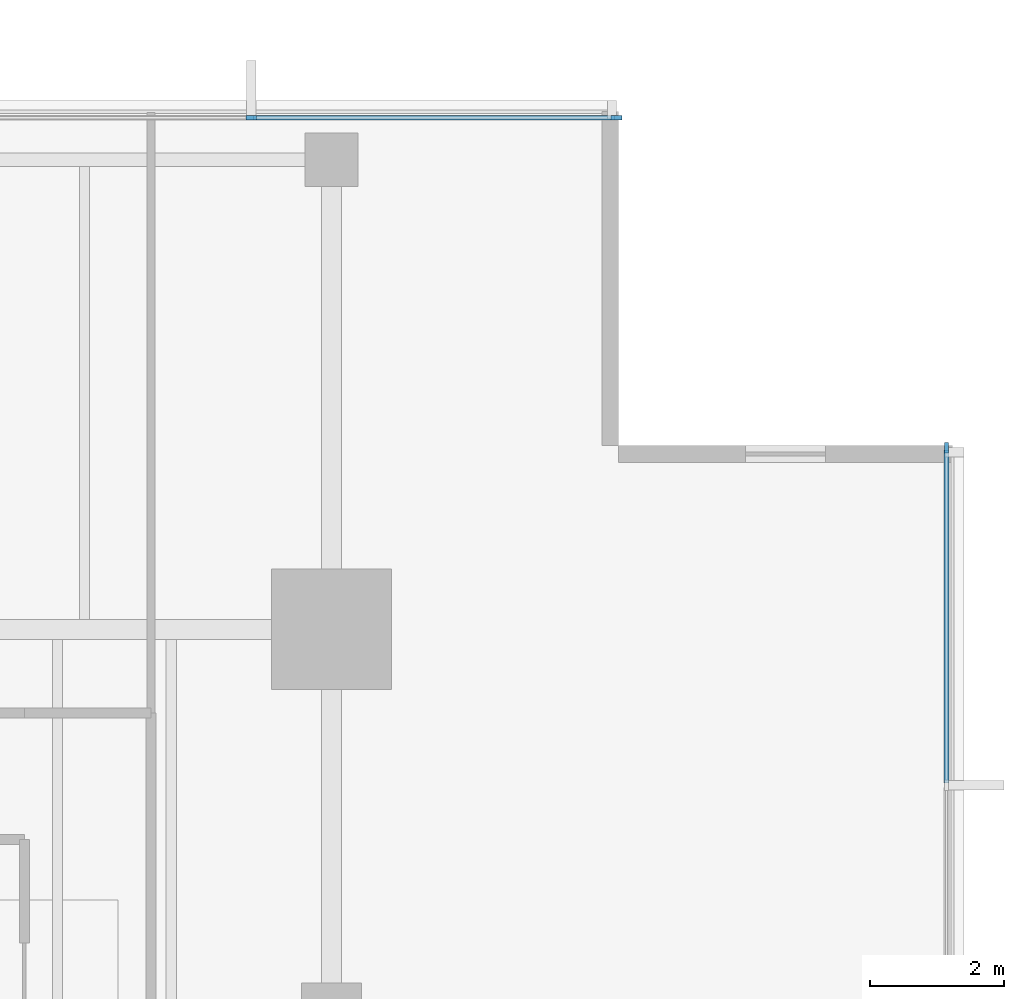
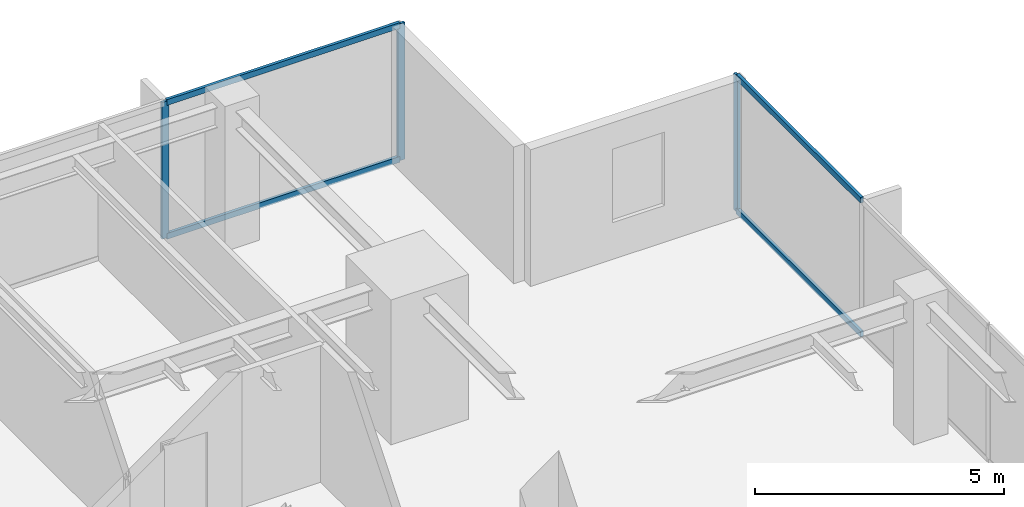
# One storey, part 6 of 15: 7 members, 2 elements without a shape of their own.
"""IFC4 building model written with IfcOpenShell, lengths in metres."""

from ifc_helpers import new_model, si_unit, direction, frame, origin, origin_2d, place, context, subcontext, project, spatial, rectangle, extrude, material, layer, layer_set, material_profile, profile_set, type_object, element, aggregate, save


model = new_model("IFC4")

# Units and contexts
model_context = context("Model", 3, precision=1e-05, world=origin(), true_north=direction((0.0, 1.0)))
body_context = subcontext(model_context, "Body", "Model", "MODEL_VIEW")
ifc_project = project(units=[si_unit("LENGTHUNIT", "METRE"), si_unit("AREAUNIT", "SQUARE_METRE"), si_unit("VOLUMEUNIT", "CUBIC_METRE"), si_unit("PLANEANGLEUNIT", "RADIAN"), si_unit("MASSUNIT", "GRAM", prefix="KILO")], contexts=[model_context])

# Site, building, storey
site_placement = place(None, origin())
site = spatial("IfcSite", under=ifc_project, at=site_placement, CompositionType="ELEMENT")
building_placement = place(site_placement, origin())
building = spatial("IfcBuilding", under=site, at=building_placement, Name="Kinhvarn Gate Tower", CompositionType="ELEMENT")
storey_placement = place(building_placement, frame((0.0, 0.0, 237.75)))
storey = spatial("IfcBuildingStorey", under=building, at=storey_placement, Name="L63", CompositionType="ELEMENT", Elevation=237.75)

# Curtain wall, members
ifc_material = material(Name="Anodised aluminium AW-6063", Category="aluminium")
ifc_layer = layer(ifc_material, 0.179931640625)
ifc_layer_set = layer_set([ifc_layer], Name="Anodised aluminium AW-6063")
curtain_wall_type = type_object("IfcCurtainWallType", Name="CW-SYS-3", PredefinedType="NOTDEFINED", material=ifc_layer_set)
curtain_wall_1_placement = place(storey_placement, origin())
curtain_wall_1 = element("IfcCurtainWall", 1, at=curtain_wall_1_placement, inside=storey, type_object=curtain_wall_type, Name="Curtain Wall CW3 (L63)", PredefinedType="NOTDEFINED")
ifc_material_profile_1 = material_profile(ifc_material, rectangle(XDim=0.06494140625, YDim=0.159912109375, at=origin_2d()), Name="ALU 65x160")
ifc_profile_set_1 = profile_set([ifc_material_profile_1], Name="Anodised aluminium AW-6063")
member_type_1 = type_object("IfcMemberType", Name="CW-MUL-160", PredefinedType="MULLION", material=ifc_profile_set_1)
member_1_placement = place(storey_placement, frame((42.467529296875, 45.409912109375, 0.0), z_axis=(0.0, 0.0, 1.0), x_axis=(0.0, -1.0, 0.0)))
member_1 = element("IfcMember", 2, at=member_1_placement, type_object=member_type_1, Name="CW3 mullion 1", PredefinedType="MULLION", context=body_context, shape_type="SweptSolid", body=[
    extrude(rectangle(XDim=0.06494140625, YDim=0.159912109375, at=origin_2d()), origin(), (0.0, 0.0, 1.0), 3.35009765625),
])
member_2_placement = place(storey_placement, frame((37.0, 45.409912109375, 0.0), z_axis=(0.0, 0.0, 1.0), x_axis=(0.0, -1.0, 0.0)))
member_2 = element("IfcMember", 3, at=member_2_placement, type_object=member_type_1, Name="CW3 mullion 2", PredefinedType="MULLION", context=body_context, shape_type="SweptSolid", body=[
    extrude(rectangle(XDim=0.06494140625, YDim=0.159912109375, at=origin_2d()), origin(), (0.0, 0.0, 1.0), 3.35009765625),
])

# Curtain wall, member
curtain_wall_2_placement = place(storey_placement, origin())
curtain_wall_2 = element("IfcCurtainWall", 4, at=curtain_wall_2_placement, inside=storey, type_object=curtain_wall_type, Name="Curtain Wall CW3 (L63)", PredefinedType="NOTDEFINED")
member_3_placement = place(storey_placement, frame((47.409912109375, 40.467529296875, 0.0), z_axis=(0.0, 0.0, 1.0), x_axis=(-1.0, 0.0, 0.0)))
member_3 = element("IfcMember", 5, at=member_3_placement, type_object=member_type_1, Name="CW3 mullion 7", PredefinedType="MULLION", context=body_context, shape_type="SweptSolid", body=[
    extrude(rectangle(XDim=0.06494140625, YDim=0.159912109375, at=origin_2d()), origin(), (0.0, 0.0, 1.0), 3.35009765625),
])

# Member
ifc_material_profile_2 = material_profile(ifc_material, rectangle(XDim=0.070068359375, YDim=0.139892578125, at=origin_2d()), Name="ALU 70x140")
ifc_profile_set_2 = profile_set([ifc_material_profile_2], Name="Anodised aluminium AW-6063")
member_type_2 = type_object("IfcMemberType", Name="CW-TRN-140", PredefinedType="USERDEFINED", material=ifc_profile_set_2)
member_4_placement = place(storey_placement, frame((42.43505859375, 45.409912109375, 0.034912109375), z_axis=(-1.0, 0.0, 0.0), x_axis=(0.0, -1.0, 0.0)))
member_4 = element("IfcMember", 6, at=member_4_placement, type_object=member_type_2, Name="CW3 transom 1.1", ObjectType="TRANSOM", PredefinedType="USERDEFINED", context=body_context, shape_type="SweptSolid", body=[
    extrude(rectangle(XDim=0.070068359375, YDim=0.139892578125, at=origin_2d()), origin(), (0.0, 0.0, 1.0), 5.402587890625),
])

member_5_placement = place(storey_placement, frame((42.43505859375, 45.409912109375, 3.31494140625), z_axis=(-1.0, 0.0, 0.0), x_axis=(0.0, -1.0, 0.0)))
member_5 = element("IfcMember", 7, at=member_5_placement, type_object=member_type_2, Name="CW3 transom 1.2", ObjectType="TRANSOM", PredefinedType="USERDEFINED", context=body_context, shape_type="SweptSolid", body=[
    extrude(rectangle(XDim=0.070068359375, YDim=0.139892578125, at=origin_2d()), origin(), (0.0, 0.0, 1.0), 5.402587890625),
])

aggregate(curtain_wall_1, [member_1, member_2, member_4, member_5])

member_6_placement = place(storey_placement, frame((47.409912109375, 35.44921875, 0.034912109375), z_axis=(0.0, 1.0, 0.0), x_axis=(-1.0, 0.0, 0.0)))
member_6 = element("IfcMember", 8, at=member_6_placement, type_object=member_type_2, Name="CW3 transom 6.1", ObjectType="TRANSOM", PredefinedType="USERDEFINED", context=body_context, shape_type="SweptSolid", body=[
    extrude(rectangle(XDim=0.070068359375, YDim=0.139892578125, at=origin_2d()), origin(), (0.0, 0.0, 1.0), 4.98583984375),
])

member_7_placement = place(storey_placement, frame((47.409912109375, 35.44921875, 3.31494140625), z_axis=(0.0, 1.0, 0.0), x_axis=(-1.0, 0.0, 0.0)))
member_7 = element("IfcMember", 9, at=member_7_placement, type_object=member_type_2, Name="CW3 transom 6.2", ObjectType="TRANSOM", PredefinedType="USERDEFINED", context=body_context, shape_type="SweptSolid", body=[
    extrude(rectangle(XDim=0.070068359375, YDim=0.139892578125, at=origin_2d()), origin(), (0.0, 0.0, 1.0), 4.98583984375),
])

aggregate(curtain_wall_2, [member_3, member_6, member_7])

save(model, "model.ifc")
